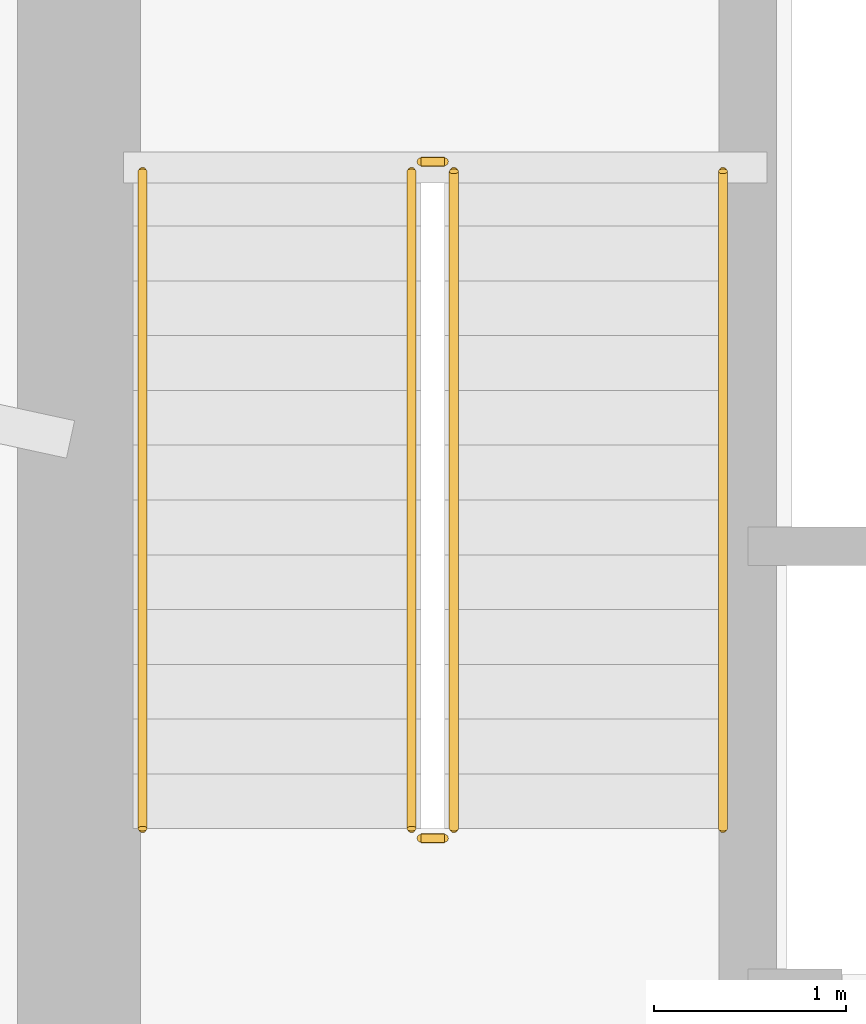
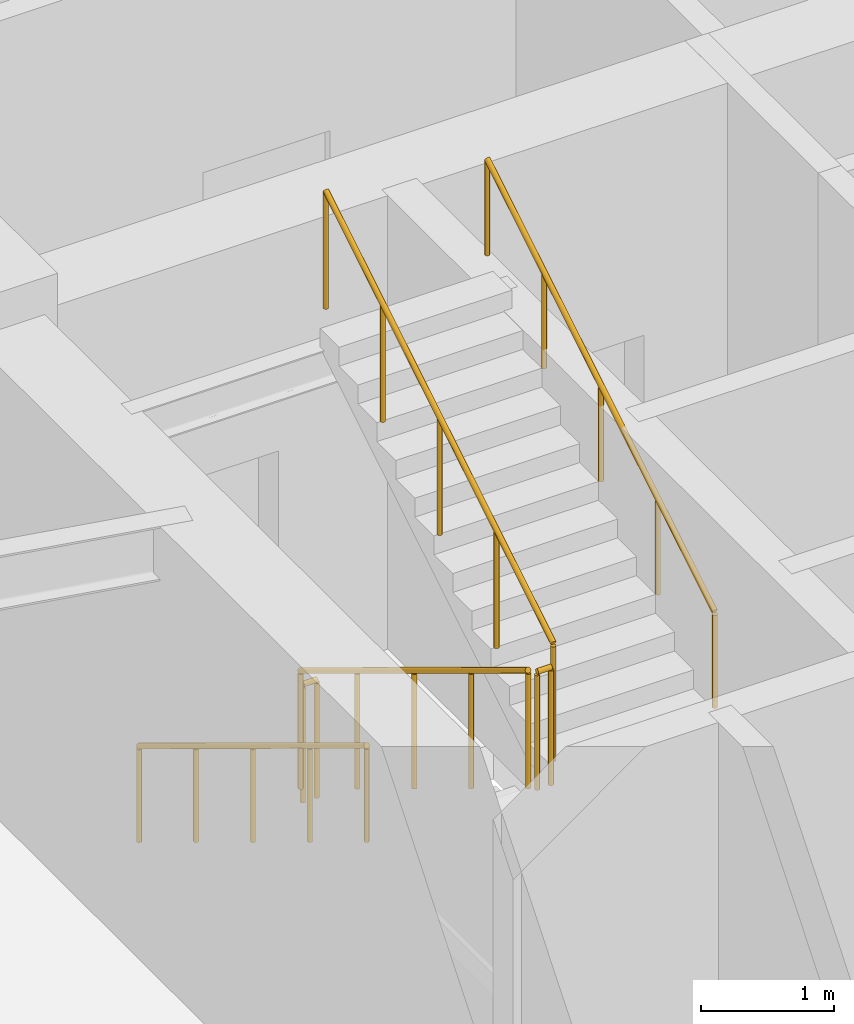
# One storey, part 18 of 21: 6 railings.
"""IFC4 building model written with IfcOpenShell, lengths in metres."""

from ifc_helpers import new_model, si_unit, direction, frame, origin, origin_2d, place, context, subcontext, project, spatial, circle, extrude, material, type_object, element, save


model = new_model("IFC4")

# Units and contexts
model_context = context("Model", 3, precision=1e-05, world=origin(), true_north=direction((0.0, 1.0)))
body_context = subcontext(model_context, "Body", "Model", "MODEL_VIEW")
ifc_project = project(units=[si_unit("LENGTHUNIT", "METRE"), si_unit("AREAUNIT", "SQUARE_METRE"), si_unit("VOLUMEUNIT", "CUBIC_METRE"), si_unit("PLANEANGLEUNIT", "RADIAN"), si_unit("MASSUNIT", "GRAM", prefix="KILO")], contexts=[model_context])

# Site, building, storey
site_placement = place(None, origin())
site = spatial("IfcSite", under=ifc_project, at=site_placement, CompositionType="ELEMENT")
building_placement = place(site_placement, origin())
building = spatial("IfcBuilding", under=site, at=building_placement, Name="Qobustan Lattice House", CompositionType="ELEMENT")
storey_placement = place(building_placement, frame((0.0, 0.0, 22.5)))
storey = spatial("IfcBuildingStorey", under=building, at=storey_placement, Name="L05", CompositionType="ELEMENT", Elevation=22.5)

# Railings
ifc_material_1 = material(Name="Brushed stainless steel handrail", Category="steel")
railing_type_1 = type_object("IfcRailingType", Name="RAL-HR-920", PredefinedType="HANDRAIL", material=ifc_material_1)
railing_1_placement = place(storey_placement, frame((-18.199951171875, 3.5, 0.173095703125)))
element("IfcRailing", 1, at=railing_1_placement, inside=storey, type_object=railing_type_1, Name="L05 ST-W1 stair handrail 1", PredefinedType="HANDRAIL", context=body_context, shape_type="SweptSolid", body=[
    extrude(circle(Radius=0.02392578125, at=origin_2d()), frame((0.0, 0.0, 0.8759765625), z_axis=(0.0, -0.854729506542, 0.519073665916), x_axis=(1.0, 0.0, 0.0)), (0.0, 0.0, 1.0), 4.001220703125),
    extrude(circle(Radius=0.02099609375, at=origin_2d()), origin(), (0.0, 0.0, 1.0), 0.851806640625),
    extrude(circle(Radius=0.02099609375, at=origin_2d()), frame((0.0, -0.85498046875, 0.519287109375)), (0.0, 0.0, 1.0), 0.851806640625),
    extrude(circle(Radius=0.02099609375, at=origin_2d()), frame((0.0, -1.7099609375, 1.03857421875)), (0.0, 0.0, 1.0), 0.851806640625),
    extrude(circle(Radius=0.02099609375, at=origin_2d()), frame((0.0, -2.56494140625, 1.5576171875)), (0.0, 0.0, 1.0), 0.851806640625),
    extrude(circle(Radius=0.02099609375, at=origin_2d()), frame((0.0, -3.419921875, 2.076904296875)), (0.0, 0.0, 1.0), 0.851806640625),
])
railing_2_placement = place(storey_placement, frame((-15.179931640625, 0.080078125, 2.423095703125)))
element("IfcRailing", 2, at=railing_2_placement, inside=storey, type_object=railing_type_1, Name="L05 ST-W1 stair handrail 2", PredefinedType="HANDRAIL", context=body_context, shape_type="SweptSolid", body=[
    extrude(circle(Radius=0.02392578125, at=origin_2d()), frame((0.0, 0.0, 0.8759765625), z_axis=(0.0, 0.854729506542, 0.519073665916), x_axis=(-1.0, 0.0, 0.0)), (0.0, 0.0, 1.0), 4.001220703125),
    extrude(circle(Radius=0.02099609375, at=origin_2d()), origin(), (0.0, 0.0, 1.0), 0.851806640625),
    extrude(circle(Radius=0.02099609375, at=origin_2d()), frame((0.0, 0.85498046875, 0.519287109375)), (0.0, 0.0, 1.0), 0.851806640625),
    extrude(circle(Radius=0.02099609375, at=origin_2d()), frame((0.0, 1.7099609375, 1.03857421875)), (0.0, 0.0, 1.0), 0.851806640625),
    extrude(circle(Radius=0.02099609375, at=origin_2d()), frame((0.0, 2.56494140625, 1.5576171875)), (0.0, 0.0, 1.0), 0.851806640625),
    extrude(circle(Radius=0.02099609375, at=origin_2d()), frame((0.0, 3.419921875, 2.076904296875)), (0.0, 0.0, 1.0), 0.851806640625),
])
ifc_material_2 = material(Name="Painted galvanized steel guardrail", Category="steel")
railing_type_2 = type_object("IfcRailingType", Name="RAL-STG-1150", PredefinedType="GUARDRAIL", material=ifc_material_2)
railing_3_placement = place(storey_placement, frame((-16.800048828125, 3.5, 0.173095703125)))
element("IfcRailing", 3, at=railing_3_placement, inside=storey, type_object=railing_type_2, Name="L05 ST-W1 stair guard 1", PredefinedType="GUARDRAIL", context=body_context, shape_type="SweptSolid", body=[
    extrude(circle(Radius=0.02392578125, at=origin_2d()), frame((0.0, 0.0, 1.076171875), z_axis=(0.0, -0.854729506542, 0.519073665916), x_axis=(1.0, 0.0, 0.0)), (0.0, 0.0, 1.0), 4.001220703125),
    extrude(circle(Radius=0.02099609375, at=origin_2d()), origin(), (0.0, 0.0, 1.0), 1.052001953125),
    extrude(circle(Radius=0.02099609375, at=origin_2d()), frame((0.0, -0.85498046875, 0.519287109375)), (0.0, 0.0, 1.0), 1.052001953125),
    extrude(circle(Radius=0.02099609375, at=origin_2d()), frame((0.0, -1.7099609375, 1.03857421875)), (0.0, 0.0, 1.0), 1.052001953125),
    extrude(circle(Radius=0.02099609375, at=origin_2d()), frame((0.0, -2.56494140625, 1.5576171875)), (0.0, 0.0, 1.0), 1.052001953125),
    extrude(circle(Radius=0.02099609375, at=origin_2d()), frame((0.0, -3.419921875, 2.076904296875)), (0.0, 0.0, 1.0), 1.052001953125),
])
railing_4_placement = place(storey_placement, frame((-16.75, 0.030029296875, 2.25)))
element("IfcRailing", 4, at=railing_4_placement, inside=storey, type_object=railing_type_2, Name="L05 ST-W1 stair guard 2", PredefinedType="GUARDRAIL", context=body_context, shape_type="SweptSolid", body=[
    extrude(circle(Radius=0.02392578125, at=origin_2d()), frame((0.0, 0.0, 1.076171875), z_axis=(1.0, 0.0, 0.0), x_axis=(0.0, 1.0, 0.0)), (0.0, 0.0, 1.0), 0.1201171875),
    extrude(circle(Radius=0.02099609375, at=origin_2d()), origin(), (0.0, 0.0, 1.0), 1.052001953125),
    extrude(circle(Radius=0.02099609375, at=origin_2d()), frame((0.1201171875, 0.0, 0.0)), (0.0, 0.0, 1.0), 1.052001953125),
])
railing_5_placement = place(storey_placement, frame((-16.580078125, 0.080078125, 2.423095703125)))
element("IfcRailing", 5, at=railing_5_placement, inside=storey, type_object=railing_type_2, Name="L05 ST-W1 stair guard 3", PredefinedType="GUARDRAIL", context=body_context, shape_type="SweptSolid", body=[
    extrude(circle(Radius=0.02392578125, at=origin_2d()), frame((0.0, 0.0, 1.076171875), z_axis=(0.0, 0.854729506542, 0.519073665916), x_axis=(-1.0, 0.0, 0.0)), (0.0, 0.0, 1.0), 4.001220703125),
    extrude(circle(Radius=0.02099609375, at=origin_2d()), origin(), (0.0, 0.0, 1.0), 1.052001953125),
    extrude(circle(Radius=0.02099609375, at=origin_2d()), frame((0.0, 0.85498046875, 0.519287109375)), (0.0, 0.0, 1.0), 1.052001953125),
    extrude(circle(Radius=0.02099609375, at=origin_2d()), frame((0.0, 1.7099609375, 1.03857421875)), (0.0, 0.0, 1.0), 1.052001953125),
    extrude(circle(Radius=0.02099609375, at=origin_2d()), frame((0.0, 2.56494140625, 1.5576171875)), (0.0, 0.0, 1.0), 1.052001953125),
    extrude(circle(Radius=0.02099609375, at=origin_2d()), frame((0.0, 3.419921875, 2.076904296875)), (0.0, 0.0, 1.0), 1.052001953125),
])
railing_6_placement = place(storey_placement, frame((-16.75, 3.550048828125, 0.0)))
element("IfcRailing", 6, at=railing_6_placement, inside=storey, type_object=railing_type_2, Name="L05 ST-W1 stair guard 4", PredefinedType="GUARDRAIL", context=body_context, shape_type="SweptSolid", body=[
    extrude(circle(Radius=0.02392578125, at=origin_2d()), frame((0.0, 0.0, 1.076171875), z_axis=(1.0, 0.0, 0.0), x_axis=(0.0, 1.0, 0.0)), (0.0, 0.0, 1.0), 0.1201171875),
    extrude(circle(Radius=0.02099609375, at=origin_2d()), origin(), (0.0, 0.0, 1.0), 1.052001953125),
    extrude(circle(Radius=0.02099609375, at=origin_2d()), frame((0.1201171875, 0.0, 0.0)), (0.0, 0.0, 1.0), 1.052001953125),
])

save(model, "model.ifc")
